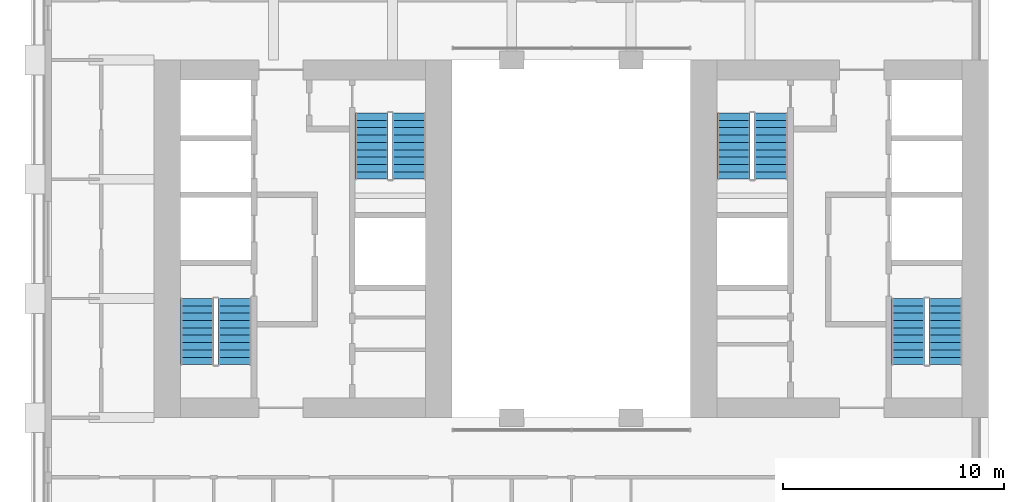
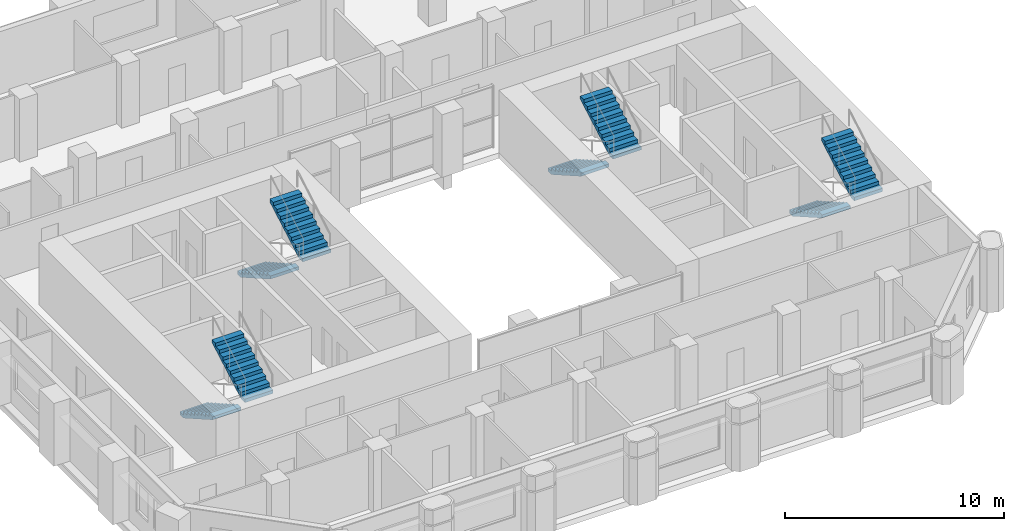
# One storey, part 10 of 13: 8 stair flights, 4 elements without a shape of their own.
"""IFC4 building model written with IfcOpenShell, lengths in metres."""

from ifc_helpers import new_model, si_unit, direction, frame, origin, place, context, subcontext, project, spatial, polyline, outline, extrude, material, type_object, element, aggregate, save


model = new_model("IFC4")

# Units and contexts
model_context = context("Model", 3, precision=1e-05, world=origin(), true_north=direction((0.0, 1.0)))
body_context = subcontext(model_context, "Body", "Model", "MODEL_VIEW")
ifc_project = project(units=[si_unit("LENGTHUNIT", "METRE"), si_unit("AREAUNIT", "SQUARE_METRE"), si_unit("VOLUMEUNIT", "CUBIC_METRE"), si_unit("PLANEANGLEUNIT", "RADIAN"), si_unit("MASSUNIT", "GRAM", prefix="KILO")], contexts=[model_context])

# Site, building, storey
site_placement = place(None, origin())
site = spatial("IfcSite", under=ifc_project, at=site_placement, CompositionType="ELEMENT")
building_placement = place(site_placement, origin())
building = spatial("IfcBuilding", under=site, at=building_placement, Name="Tabaq Tower and Sports Hall", CompositionType="ELEMENT")
storey_placement = place(building_placement, frame((0.0, 0.0, 114.39990234375)))
storey = spatial("IfcBuildingStorey", under=building, at=storey_placement, Name="L27", CompositionType="ELEMENT", Elevation=114.39990234375)

# Stair, stair flights
ifc_material_1 = material(Name="Concrete C40/50", Category="concrete")
stair_type = type_object("IfcStairType", Name="Exit stair", PredefinedType="HALF_TURN_STAIR", material=ifc_material_1)
stair_1_placement = place(storey_placement, origin())
stair_1 = element("IfcStair", 1, at=stair_1_placement, inside=storey, type_object=stair_type, Name="L27 Exit stair ST1", PredefinedType="HALF_TURN_STAIR")
ifc_material_2 = material(Name="Concrete C40/50", Category="concrete")
stair_flight_type = type_object("IfcStairFlightType", Name="Exit stair flight", PredefinedType="STRAIGHT", material=ifc_material_2)
stair_flight_1_placement = place(storey_placement, frame((7.35009765625, 21.60009765625, 0.0), z_axis=(0.0, 0.0, 1.0), x_axis=(0.0, -1.0, 0.0)))
stair_flight_1 = element("IfcStairFlight", 2, at=stair_flight_1_placement, type_object=stair_flight_type, Name="ST1 flight 1", NumberOfRisers=10, NumberOfTreads=9, PredefinedType="STRAIGHT", RiserHeight=0.19, TreadLength=0.333333333, context=body_context, shape_type="SweptSolid", body=[
    extrude(outline(polyline([(0.0, 0.0), (0.0, 0.18994140625), (0.333251953125, 0.18994140625), (0.333251953125, 0.3798828125), (0.666748046875, 0.3798828125), (0.666748046875, 0.570068359375), (1.0, 0.570068359375), (1.0, 0.760009765625), (1.333251953125, 0.760009765625), (1.333251953125, 0.949951171875), (1.666748046875, 0.949951171875), (1.666748046875, 1.139892578125), (2.0, 1.139892578125), (2.0, 1.330078125), (2.333251953125, 1.330078125), (2.333251953125, 1.52001953125), (2.666748046875, 1.52001953125), (2.666748046875, 1.7099609375), (3.0, 1.7099609375), (3.0, 1.89990234375), (3.0, 1.537353515625), (0.302734375, 0.0), (0.0, 0.0)])), frame((0.0, 0.75, 0.0), z_axis=(0.0, -1.0, 0.0), x_axis=(1.0, 0.0, 0.0)), (0.0, 0.0, 1.0), 1.5),
])
stair_flight_2_placement = place(storey_placement, frame((9.050048828125, 18.60009765625, 1.900146484375), z_axis=(0.0, 0.0, 1.0), x_axis=(0.0, 1.0, 0.0)))
stair_flight_2 = element("IfcStairFlight", 3, at=stair_flight_2_placement, type_object=stair_flight_type, Name="ST1 flight 2", NumberOfRisers=10, NumberOfTreads=9, PredefinedType="STRAIGHT", RiserHeight=0.19, TreadLength=0.333333333, context=body_context, shape_type="SweptSolid", body=[
    extrude(outline(polyline([(0.0, 0.0), (0.0, 0.18994140625), (0.333251953125, 0.18994140625), (0.333251953125, 0.3798828125), (0.666748046875, 0.3798828125), (0.666748046875, 0.570068359375), (1.0, 0.570068359375), (1.0, 0.760009765625), (1.333251953125, 0.760009765625), (1.333251953125, 0.949951171875), (1.666748046875, 0.949951171875), (1.666748046875, 1.139892578125), (2.0, 1.139892578125), (2.0, 1.330078125), (2.333251953125, 1.330078125), (2.333251953125, 1.52001953125), (2.666748046875, 1.52001953125), (2.666748046875, 1.7099609375), (3.0, 1.7099609375), (3.0, 1.89990234375), (3.0, 1.537353515625), (0.302734375, 0.0), (0.0, 0.0)])), frame((0.0, 0.75, 0.0), z_axis=(0.0, -1.0, 0.0), x_axis=(1.0, 0.0, 0.0)), (0.0, 0.0, 1.0), 1.5),
])
aggregate(stair_1, [stair_flight_1, stair_flight_2])

stair_2_placement = place(storey_placement, origin())
stair_2 = element("IfcStair", 4, at=stair_2_placement, inside=storey, type_object=stair_type, Name="L27 Exit stair ST2", PredefinedType="HALF_TURN_STAIR")
stair_flight_3_placement = place(storey_placement, frame((15.25, 30.0, 0.0), z_axis=(0.0, 0.0, 1.0), x_axis=(0.0, -1.0, 0.0)))
stair_flight_3 = element("IfcStairFlight", 5, at=stair_flight_3_placement, type_object=stair_flight_type, Name="ST2 flight 1", NumberOfRisers=10, NumberOfTreads=9, PredefinedType="STRAIGHT", RiserHeight=0.19, TreadLength=0.333333333, context=body_context, shape_type="SweptSolid", body=[
    extrude(outline(polyline([(0.0, 0.0), (0.0, 0.18994140625), (0.333251953125, 0.18994140625), (0.333251953125, 0.3798828125), (0.666748046875, 0.3798828125), (0.666748046875, 0.570068359375), (1.0, 0.570068359375), (1.0, 0.760009765625), (1.333251953125, 0.760009765625), (1.333251953125, 0.949951171875), (1.666748046875, 0.949951171875), (1.666748046875, 1.139892578125), (2.0, 1.139892578125), (2.0, 1.330078125), (2.333251953125, 1.330078125), (2.333251953125, 1.52001953125), (2.666748046875, 1.52001953125), (2.666748046875, 1.7099609375), (3.0, 1.7099609375), (3.0, 1.89990234375), (3.0, 1.537353515625), (0.302734375, 0.0), (0.0, 0.0)])), frame((0.0, 0.75, 0.0), z_axis=(0.0, -1.0, 0.0), x_axis=(1.0, 0.0, 0.0)), (0.0, 0.0, 1.0), 1.5),
])
stair_flight_4_placement = place(storey_placement, frame((16.949951171875, 27.0, 1.900146484375), z_axis=(0.0, 0.0, 1.0), x_axis=(0.0, 1.0, 0.0)))
stair_flight_4 = element("IfcStairFlight", 6, at=stair_flight_4_placement, type_object=stair_flight_type, Name="ST2 flight 2", NumberOfRisers=10, NumberOfTreads=9, PredefinedType="STRAIGHT", RiserHeight=0.19, TreadLength=0.333333333, context=body_context, shape_type="SweptSolid", body=[
    extrude(outline(polyline([(0.0, 0.0), (0.0, 0.18994140625), (0.333251953125, 0.18994140625), (0.333251953125, 0.3798828125), (0.666748046875, 0.3798828125), (0.666748046875, 0.570068359375), (1.0, 0.570068359375), (1.0, 0.760009765625), (1.333251953125, 0.760009765625), (1.333251953125, 0.949951171875), (1.666748046875, 0.949951171875), (1.666748046875, 1.139892578125), (2.0, 1.139892578125), (2.0, 1.330078125), (2.333251953125, 1.330078125), (2.333251953125, 1.52001953125), (2.666748046875, 1.52001953125), (2.666748046875, 1.7099609375), (3.0, 1.7099609375), (3.0, 1.89990234375), (3.0, 1.537353515625), (0.302734375, 0.0), (0.0, 0.0)])), frame((0.0, 0.75, 0.0), z_axis=(0.0, -1.0, 0.0), x_axis=(1.0, 0.0, 0.0)), (0.0, 0.0, 1.0), 1.5),
])
aggregate(stair_2, [stair_flight_3, stair_flight_4])

stair_3_placement = place(storey_placement, origin())
stair_3 = element("IfcStair", 7, at=stair_3_placement, inside=storey, type_object=stair_type, Name="L27 Exit stair ST3", PredefinedType="HALF_TURN_STAIR")
stair_flight_5_placement = place(storey_placement, frame((39.550048828125, 21.60009765625, 0.0), z_axis=(0.0, 0.0, 1.0), x_axis=(0.0, -1.0, 0.0)))
stair_flight_5 = element("IfcStairFlight", 8, at=stair_flight_5_placement, type_object=stair_flight_type, Name="ST3 flight 1", NumberOfRisers=10, NumberOfTreads=9, PredefinedType="STRAIGHT", RiserHeight=0.19, TreadLength=0.333333333, context=body_context, shape_type="SweptSolid", body=[
    extrude(outline(polyline([(0.0, 0.0), (0.0, 0.18994140625), (0.333251953125, 0.18994140625), (0.333251953125, 0.3798828125), (0.666748046875, 0.3798828125), (0.666748046875, 0.570068359375), (1.0, 0.570068359375), (1.0, 0.760009765625), (1.333251953125, 0.760009765625), (1.333251953125, 0.949951171875), (1.666748046875, 0.949951171875), (1.666748046875, 1.139892578125), (2.0, 1.139892578125), (2.0, 1.330078125), (2.333251953125, 1.330078125), (2.333251953125, 1.52001953125), (2.666748046875, 1.52001953125), (2.666748046875, 1.7099609375), (3.0, 1.7099609375), (3.0, 1.89990234375), (3.0, 1.537353515625), (0.302734375, 0.0), (0.0, 0.0)])), frame((0.0, 0.75, 0.0), z_axis=(0.0, -1.0, 0.0), x_axis=(1.0, 0.0, 0.0)), (0.0, 0.0, 1.0), 1.5),
])
stair_flight_6_placement = place(storey_placement, frame((41.25, 18.60009765625, 1.900146484375), z_axis=(0.0, 0.0, 1.0), x_axis=(0.0, 1.0, 0.0)))
stair_flight_6 = element("IfcStairFlight", 9, at=stair_flight_6_placement, type_object=stair_flight_type, Name="ST3 flight 2", NumberOfRisers=10, NumberOfTreads=9, PredefinedType="STRAIGHT", RiserHeight=0.19, TreadLength=0.333333333, context=body_context, shape_type="SweptSolid", body=[
    extrude(outline(polyline([(0.0, 0.0), (0.0, 0.18994140625), (0.333251953125, 0.18994140625), (0.333251953125, 0.3798828125), (0.666748046875, 0.3798828125), (0.666748046875, 0.570068359375), (1.0, 0.570068359375), (1.0, 0.760009765625), (1.333251953125, 0.760009765625), (1.333251953125, 0.949951171875), (1.666748046875, 0.949951171875), (1.666748046875, 1.139892578125), (2.0, 1.139892578125), (2.0, 1.330078125), (2.333251953125, 1.330078125), (2.333251953125, 1.52001953125), (2.666748046875, 1.52001953125), (2.666748046875, 1.7099609375), (3.0, 1.7099609375), (3.0, 1.89990234375), (3.0, 1.537353515625), (0.302734375, 0.0), (0.0, 0.0)])), frame((0.0, 0.75, 0.0), z_axis=(0.0, -1.0, 0.0), x_axis=(1.0, 0.0, 0.0)), (0.0, 0.0, 1.0), 1.5),
])
aggregate(stair_3, [stair_flight_5, stair_flight_6])

stair_4_placement = place(storey_placement, origin())
stair_4 = element("IfcStair", 10, at=stair_4_placement, inside=storey, type_object=stair_type, Name="L27 Exit stair ST4", PredefinedType="HALF_TURN_STAIR")
stair_flight_7_placement = place(storey_placement, frame((31.64990234375, 30.0, 0.0), z_axis=(0.0, 0.0, 1.0), x_axis=(0.0, -1.0, 0.0)))
stair_flight_7 = element("IfcStairFlight", 11, at=stair_flight_7_placement, type_object=stair_flight_type, Name="ST4 flight 1", NumberOfRisers=10, NumberOfTreads=9, PredefinedType="STRAIGHT", RiserHeight=0.19, TreadLength=0.333333333, context=body_context, shape_type="SweptSolid", body=[
    extrude(outline(polyline([(0.0, 0.0), (0.0, 0.18994140625), (0.333251953125, 0.18994140625), (0.333251953125, 0.3798828125), (0.666748046875, 0.3798828125), (0.666748046875, 0.570068359375), (1.0, 0.570068359375), (1.0, 0.760009765625), (1.333251953125, 0.760009765625), (1.333251953125, 0.949951171875), (1.666748046875, 0.949951171875), (1.666748046875, 1.139892578125), (2.0, 1.139892578125), (2.0, 1.330078125), (2.333251953125, 1.330078125), (2.333251953125, 1.52001953125), (2.666748046875, 1.52001953125), (2.666748046875, 1.7099609375), (3.0, 1.7099609375), (3.0, 1.89990234375), (3.0, 1.537353515625), (0.302734375, 0.0), (0.0, 0.0)])), frame((0.0, 0.75, 0.0), z_axis=(0.0, -1.0, 0.0), x_axis=(1.0, 0.0, 0.0)), (0.0, 0.0, 1.0), 1.5),
])
stair_flight_8_placement = place(storey_placement, frame((33.35009765625, 27.0, 1.900146484375), z_axis=(0.0, 0.0, 1.0), x_axis=(0.0, 1.0, 0.0)))
stair_flight_8 = element("IfcStairFlight", 12, at=stair_flight_8_placement, type_object=stair_flight_type, Name="ST4 flight 2", NumberOfRisers=10, NumberOfTreads=9, PredefinedType="STRAIGHT", RiserHeight=0.19, TreadLength=0.333333333, context=body_context, shape_type="SweptSolid", body=[
    extrude(outline(polyline([(0.0, 0.0), (0.0, 0.18994140625), (0.333251953125, 0.18994140625), (0.333251953125, 0.3798828125), (0.666748046875, 0.3798828125), (0.666748046875, 0.570068359375), (1.0, 0.570068359375), (1.0, 0.760009765625), (1.333251953125, 0.760009765625), (1.333251953125, 0.949951171875), (1.666748046875, 0.949951171875), (1.666748046875, 1.139892578125), (2.0, 1.139892578125), (2.0, 1.330078125), (2.333251953125, 1.330078125), (2.333251953125, 1.52001953125), (2.666748046875, 1.52001953125), (2.666748046875, 1.7099609375), (3.0, 1.7099609375), (3.0, 1.89990234375), (3.0, 1.537353515625), (0.302734375, 0.0), (0.0, 0.0)])), frame((0.0, 0.75, 0.0), z_axis=(0.0, -1.0, 0.0), x_axis=(1.0, 0.0, 0.0)), (0.0, 0.0, 1.0), 1.5),
])
aggregate(stair_4, [stair_flight_7, stair_flight_8])

save(model, "model.ifc")
